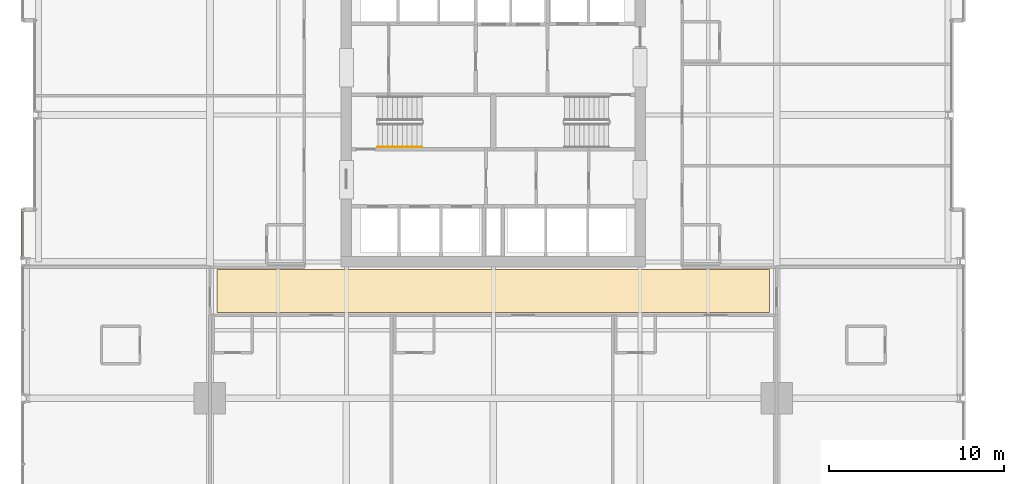
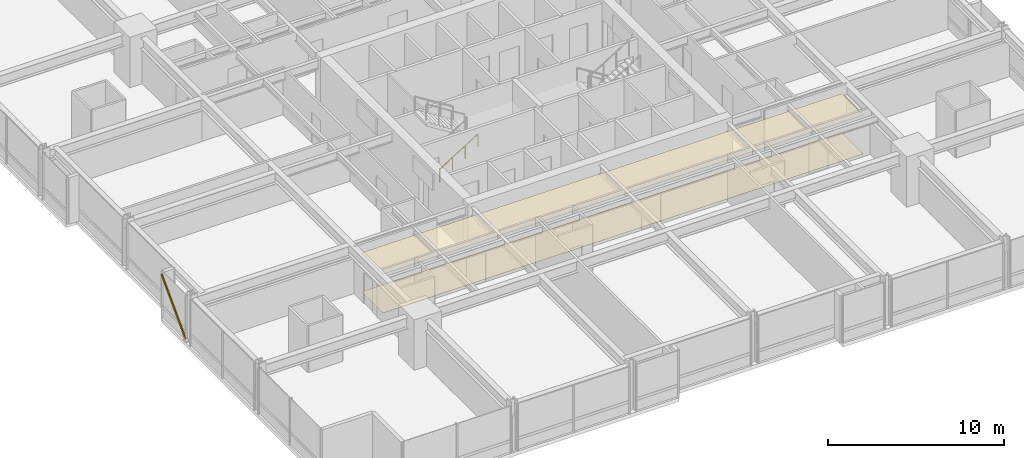
# One storey, part 35 of 38: 2 coverings, 1 railing, 1 shading device.
"""IFC4 building model written with IfcOpenShell, lengths in metres."""

import ifcopenshell
import ifcopenshell.guid

model = None  # the IFC model being written
_history = None  # IfcOwnerHistory: only IFC2X3 demands one
_inside = {}  # id of a spatial element -> (the spatial element, [elements in it])
_under = {}  # id of a project, library or spatial element -> (it, [spatial elements below it])
_declared = {}  # id of a project -> (the project, [libraries it declares])
_typed = {}  # id of a type object -> (the type object, [elements of that type])
_made_of = {}  # id of a material, layer set ... -> (it, [elements and type objects made of it])


def new_model(schema):
    """Start an empty IFC model of exactly this schema.

    Asked for "IFC4X3", IfcOpenShell would pick the latest addendum, in which some entities
    have other attributes; the version numbers below select the first issue.
    IFC2X3 requires an IfcOwnerHistory on every rooted entity: one is made here for all.
    """
    global model, _history
    if schema == "IFC4X3":
        model = ifcopenshell.file(schema_version=(4, 3, 0, 0))
    else:
        model = ifcopenshell.file(schema=schema)
    _inside.clear()
    _under.clear()
    _declared.clear()
    _typed.clear()
    _made_of.clear()
    _history = None
    if model.schema == "IFC2X3":
        org = make("IfcOrganization", Name="unknown")
        user = make(
            "IfcPersonAndOrganization",
            ThePerson=make("IfcPerson", FamilyName="unknown"),
            TheOrganization=org,
        )
        app = make(
            "IfcApplication",
            ApplicationDeveloper=org,
            Version="unknown",
            ApplicationFullName="unknown",
            ApplicationIdentifier="unknown",
        )
        _history = make(
            "IfcOwnerHistory",
            OwningUser=user,
            OwningApplication=app,
            ChangeAction="ADDED",
            CreationDate=0,
        )
    return model


def make(cls, **values):
    """One entity of the class cls with the attributes given. An attribute that is None is left unset."""
    return model.create_entity(
        cls, **{name: value for name, value in values.items() if value is not None}
    )


def rooted(cls, **values):
    """An entity with a GlobalId (a new one), such as an element, a storey or a relation."""
    return make(cls, GlobalId=ifcopenshell.guid.new(), OwnerHistory=_history, **values)


def si_unit(unit_type, name, prefix=None):
    """IfcSIUnit, for example si_unit("LENGTHUNIT", "METRE", prefix="MILLI")."""
    return make("IfcSIUnit", UnitType=unit_type, Prefix=prefix, Name=name)


def assignment(units):
    """IfcUnitAssignment: the units of a project."""
    return None if units is None else make("IfcUnitAssignment", Units=units)


def point(xyz):
    """IfcCartesianPoint."""
    return None if xyz is None else make("IfcCartesianPoint", Coordinates=xyz)


def direction(xyz):
    """IfcDirection."""
    return None if xyz is None else make("IfcDirection", DirectionRatios=xyz)


def frame(location, z_axis=None, x_axis=None):
    """IfcAxis2Placement3D, a coordinate frame: its origin and axes. An axis left out is left unset."""
    return make(
        "IfcAxis2Placement3D",
        Location=point(location),
        Axis=direction(z_axis),
        RefDirection=direction(x_axis),
    )


def frame_2d(location, x_axis=None):
    """IfcAxis2Placement2D, a coordinate frame in the plane: its origin and x axis."""
    return make(
        "IfcAxis2Placement2D", Location=point(location), RefDirection=direction(x_axis)
    )


def origin():
    """The frame at (0, 0, 0) with its axes left unset."""
    return frame((0.0, 0.0, 0.0))


def origin_2d():
    """The frame at (0, 0) in the plane with its x axis left unset."""
    return frame_2d((0.0, 0.0))


def place(relative_to, where):
    """IfcLocalPlacement: puts the frame where relative to a parent placement (None: the world)."""
    return make(
        "IfcLocalPlacement", PlacementRelTo=relative_to, RelativePlacement=where
    )


def context(
    kind, dimensions, precision=None, world=None, true_north=None, identifier=None
):
    """IfcGeometricRepresentationContext, for example the 3D "Model" context."""
    return make(
        "IfcGeometricRepresentationContext",
        ContextIdentifier=identifier,
        ContextType=kind,
        CoordinateSpaceDimension=dimensions,
        Precision=precision,
        WorldCoordinateSystem=world,
        TrueNorth=true_north,
    )


def subcontext(parent, identifier, kind, view, scale=None):
    """IfcGeometricRepresentationSubContext, for example "Body" below "Model"."""
    return make(
        "IfcGeometricRepresentationSubContext",
        ContextIdentifier=identifier,
        ContextType=kind,
        ParentContext=parent,
        TargetScale=scale,
        TargetView=view,
    )


def project(units=None, contexts=None):
    """IfcProject with its units and contexts."""
    return rooted(
        "IfcProject",
        Name="project",
        RepresentationContexts=contexts,
        UnitsInContext=assignment(units),
    )


def spatial(cls, under=None, at=None, **own):
    """A site, building, storey or space (cls), placed at a placement, below another one or the project."""
    s = rooted(cls, ObjectPlacement=at, **own)
    if under is not None:
        _under.setdefault(under.id(), (under, []))[1].append(s)
    return s


def polyline(points):
    """IfcPolyline through the points."""
    return make("IfcPolyline", Points=[point(p) for p in points])


def profile(cls, at=None, kind="AREA", **sizes):
    """A parametric profile (cls). Its sizes go by their IFC names, for example OverallWidth=200.0."""
    return make(cls, ProfileType=kind, Position=at, **sizes)


def hollow_rectangle(**sizes):
    """IfcRectangleHollowProfileDef."""
    return profile("IfcRectangleHollowProfileDef", **sizes)


def circle(**sizes):
    """IfcCircleProfileDef."""
    return profile("IfcCircleProfileDef", **sizes)


def outline(outer, holes=None, kind="AREA"):
    """IfcArbitraryClosedProfileDef: a profile drawn as a closed curve; with holes, ...WithVoids."""
    if holes is None:
        return make("IfcArbitraryClosedProfileDef", ProfileType=kind, OuterCurve=outer)
    return make(
        "IfcArbitraryProfileDefWithVoids",
        ProfileType=kind,
        OuterCurve=outer,
        InnerCurves=holes,
    )


def extrude(swept, where, along, depth):
    """IfcExtrudedAreaSolid: the profile swept, set in the frame where, extruded along a direction by depth."""
    return make(
        "IfcExtrudedAreaSolid",
        SweptArea=swept,
        Position=where,
        ExtrudedDirection=direction(along),
        Depth=depth,
    )


def shape(context_of_items, identifier, shape_type, items):
    """IfcShapeRepresentation: the items that make up one representation, for example the "Body"."""
    return make(
        "IfcShapeRepresentation",
        ContextOfItems=context_of_items,
        RepresentationIdentifier=identifier,
        RepresentationType=shape_type,
        Items=items,
    )


def material(Name=None, Category=None):
    """IfcMaterial."""
    return make("IfcMaterial", Name=Name, Category=Category)


def layer(
    of_material, thickness, ventilated=None, Name=None, Category=None, Priority=None
):
    """IfcMaterialLayer: one layer of a wall or slab, of a material (None: an air gap)."""
    return make(
        "IfcMaterialLayer",
        Material=of_material,
        LayerThickness=thickness,
        IsVentilated=ventilated,
        Name=Name,
        Category=Category,
        Priority=Priority,
    )


def layer_set(layers, Name=None):
    """IfcMaterialLayerSet."""
    return make("IfcMaterialLayerSet", MaterialLayers=layers, LayerSetName=Name)


def material_profile(
    of_material, cross_section, Name=None, Category=None, Priority=None
):
    """IfcMaterialProfile: a cross section and its material."""
    return make(
        "IfcMaterialProfile",
        Name=Name,
        Material=of_material,
        Profile=cross_section,
        Priority=Priority,
        Category=Category,
    )


def profile_set(profiles, Name=None, composite=None):
    """IfcMaterialProfileSet."""
    return make(
        "IfcMaterialProfileSet",
        Name=Name,
        MaterialProfiles=profiles,
        CompositeProfile=composite,
    )


def made_of(thing, what):
    """Note that an element or type object is made of a material, layer set ...; save() writes the relation."""
    if what is not None:
        _made_of.setdefault(what.id(), (what, []))[1].append(thing)
    return thing


def type_object(cls, material=None, **own):
    """A type object (cls), such as IfcWallType, which elements share."""
    return made_of(rooted(cls, **own), material)


def element(
    cls,
    number,
    at=None,
    inside=None,
    cuts=None,
    type_object=None,
    material=None,
    context=None,
    identifier="Body",
    shape_type=None,
    held_by="IfcProductDefinitionShape",
    body=None,
    shapes=None,
    **own,
):
    """One element of the class cls, such as IfcWall. Its Tag is "e" and its number.

    at: its placement. inside: the storey or other place that contains it. cuts: it is an
    opening in that element (IfcRelVoidsElement). A single representation is given by context,
    identifier, shape_type and body (its items); several are given by shapes. held_by: the class
    of the entity that holds the representations. save() writes the other relations.
    """
    e = rooted(cls, Tag="e%d" % number, ObjectPlacement=at, **own)
    if body is not None:
        shapes = [shape(context, identifier, shape_type, body)]
    if shapes is not None:
        e.Representation = make(held_by, Representations=shapes)
    if inside is not None:
        _inside.setdefault(inside.id(), (inside, []))[1].append(e)
    if cuts is not None:
        rooted(
            "IfcRelVoidsElement", RelatingBuildingElement=cuts, RelatedOpeningElement=e
        )
    if type_object is not None:
        _typed.setdefault(type_object.id(), (type_object, []))[1].append(e)
    return made_of(e, material)


def aggregate(whole, parts):
    """IfcRelAggregates: a whole, such as a stair, and the parts it consists of."""
    return rooted("IfcRelAggregates", RelatingObject=whole, RelatedObjects=parts)


def save(model, path):
    """Write the relations noted so far, then the file.

    IfcRelAggregates (storeys below a building ...), IfcRelContainedInSpatialStructure (elements
    in a storey), IfcRelDefinesByType, IfcRelAssociatesMaterial and IfcRelDeclares: one each for
    every whole, place, type object, material and project.
    """
    for whole, parts in _under.values():
        aggregate(whole, parts)
    for where, things in _inside.values():
        rooted(
            "IfcRelContainedInSpatialStructure",
            RelatedElements=things,
            RelatingStructure=where,
        )
    for kind, things in _typed.values():
        rooted("IfcRelDefinesByType", RelatedObjects=things, RelatingType=kind)
    for what, things in _made_of.values():
        rooted("IfcRelAssociatesMaterial", RelatedObjects=things, RelatingMaterial=what)
    for by, libraries in _declared.values():
        rooted("IfcRelDeclares", RelatingContext=by, RelatedDefinitions=libraries)
    model.write(path)


model = new_model("IFC4")

# Units and contexts
model_context = context("Model", 3, precision=1e-05, world=origin(), true_north=direction((0.0, 1.0)))
body_context = subcontext(model_context, "Body", "Model", "MODEL_VIEW")
ifc_project = project(units=[si_unit("LENGTHUNIT", "METRE"), si_unit("AREAUNIT", "SQUARE_METRE"), si_unit("VOLUMEUNIT", "CUBIC_METRE"), si_unit("PLANEANGLEUNIT", "RADIAN"), si_unit("MASSUNIT", "GRAM", prefix="KILO")], contexts=[model_context])

# Site, building, storey
site_placement = place(None, origin())
site = spatial("IfcSite", under=ifc_project, at=site_placement, CompositionType="ELEMENT")
building_placement = place(site_placement, origin())
building = spatial("IfcBuilding", under=site, at=building_placement, Name="Drelvath Grand Hotel", CompositionType="ELEMENT")
storey_placement = place(building_placement, frame((0.0, 0.0, 68.199951171875)))
storey = spatial("IfcBuildingStorey", under=building, at=storey_placement, Name="L16", CompositionType="ELEMENT", Elevation=68.199951171875)

# Railing
ifc_material_1 = material(Name="Painted Steel S275", Category="steel")
railing_type = type_object("IfcRailingType", Name="Core Stair Wall Handrail 900", PredefinedType="HANDRAIL", material=ifc_material_1)
railing_placement = place(storey_placement, frame((-6.60009765625, 25.169921875, 0.175048828125)))
element("IfcRailing", 1, at=railing_placement, inside=storey, type_object=railing_type, Name="L16 ST-1 stair handrail 1", PredefinedType="HANDRAIL", context=body_context, shape_type="SweptSolid", body=[
    extrude(circle(Radius=0.02392578125, at=origin_2d()), frame((0.0, 0.0, 0.8759765625), z_axis=(0.848007534815, 0.0, 0.529984170421), x_axis=(0.0, 1.0, 0.0)), (0.0, 0.0, 1.0), 2.9716796875),
    extrude(circle(Radius=0.02099609375, at=origin_2d()), origin(), (0.0, 0.0, 1.0), 0.851806640625),
    extrude(circle(Radius=0.02099609375, at=origin_2d()), frame((0.840087890625, 0.0, 0.52490234375)), (0.0, 0.0, 1.0), 0.851806640625),
    extrude(circle(Radius=0.02099609375, at=origin_2d()), frame((1.679931640625, 0.0, 1.050048828125)), (0.0, 0.0, 1.0), 0.851806640625),
    extrude(circle(Radius=0.02099609375, at=origin_2d()), frame((2.52001953125, 0.0, 1.574951171875)), (0.0, 0.0, 1.0), 0.851806640625),
])

# Shading device
ifc_material_2 = material(Name="Warm Bronze Anodised Aluminium", Category="aluminium")
ifc_material_profile = material_profile(ifc_material_2, hollow_rectangle(XDim=0.06494140625, YDim=0.159912109375, WallThickness=0.00390625, at=origin_2d()), Name="HSS160X65X4")
ifc_profile_set = profile_set([ifc_material_profile], Name="Warm Bronze Anodised Aluminium")
shading_device_type = type_object("IfcShadingDeviceType", Name="Diagonal Solar Fin Warm Bronze Anodised HSS160X65X4", PredefinedType="USERDEFINED", material=ifc_profile_set)
shading_device_placement = place(storey_placement, frame((-26.9599609375, 18.8291015625, 0.179931640625), z_axis=(0.0, 0.693322321311, 0.720627614494), x_axis=(-1.0, 0.0, 0.0)))
element("IfcShadingDevice", 2, at=shading_device_placement, inside=storey, type_object=shading_device_type, Name="L16 Diagonal Anodised Fin CW02-L16-WS3", ObjectType="FIN", PredefinedType="USERDEFINED", context=body_context, shape_type="SweptSolid", body=[
    extrude(hollow_rectangle(XDim=0.06494140625, YDim=0.159912109375, WallThickness=0.00390625, at=origin_2d()), origin(), (0.0, 0.0, 1.0), 3.99658203125),
])

# Coverings
ifc_material_3 = material(Name="Woven Wool Broadloom Carpet")
ifc_layer_1 = layer(ifc_material_3, 0.01806640625)
ifc_layer_set_1 = layer_set([ifc_layer_1], Name="Woven Wool Broadloom Carpet")
covering_type_1 = type_object("IfcCoveringType", Name="Hospitality Broadloom Carpet 18", PredefinedType="FLOORING", material=ifc_layer_set_1)
covering_1_placement = place(storey_placement, origin())
element("IfcCovering", 3, at=covering_1_placement, inside=storey, type_object=covering_type_1, Name="L16 Corridor Broadloom Carpet", PredefinedType="FLOORING", context=body_context, shape_type="SweptSolid", body=[
    extrude(outline(polyline([(15.800048828125, 15.699951171875), (15.800048828125, 18.14990234375), (-15.800048828125, 18.14990234375), (-15.800048828125, 15.699951171875), (15.800048828125, 15.699951171875)])), origin(), (0.0, 0.0, 1.0), 0.01806640625),
])
ifc_material_4 = material(Name="Anodised Aluminium Alloy", Category="aluminium")
ifc_layer_2 = layer(ifc_material_4, 0.0400390625)
ifc_layer_set_2 = layer_set([ifc_layer_2], Name="Anodised Aluminium Alloy")
covering_type_2 = type_object("IfcCoveringType", Name="Perforated Metal Corridor Ceiling 40", PredefinedType="CEILING", material=ifc_layer_set_2)
covering_2_placement = place(storey_placement, frame((0.0, 0.0, 2.68994140625)))
element("IfcCovering", 4, at=covering_2_placement, inside=storey, type_object=covering_type_2, Name="L16 Corridor Acoustic Ceiling", PredefinedType="CEILING", context=body_context, shape_type="SweptSolid", body=[
    extrude(outline(polyline([(15.800048828125, 15.699951171875), (15.800048828125, 18.14990234375), (-15.800048828125, 18.14990234375), (-15.800048828125, 15.699951171875), (15.800048828125, 15.699951171875)])), origin(), (0.0, 0.0, 1.0), 0.0400390625),
])

save(model, "model.ifc")
